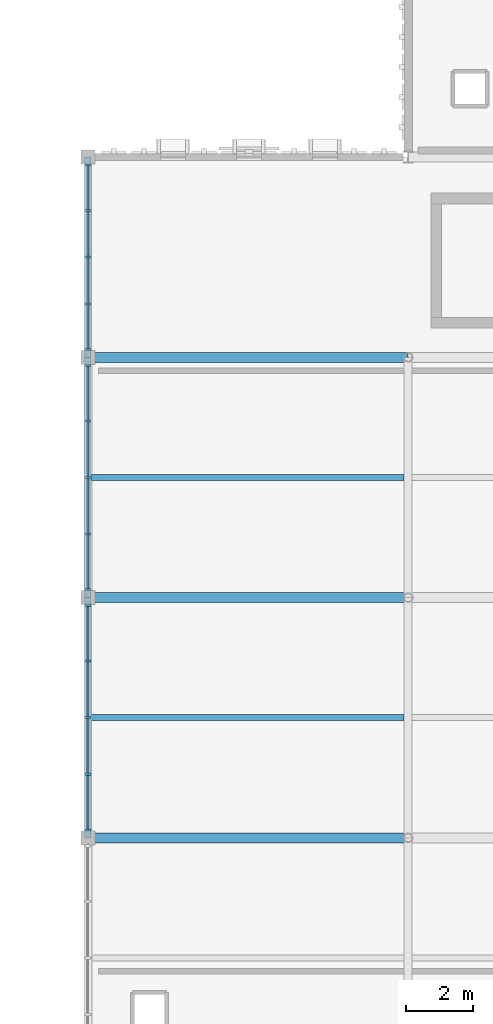
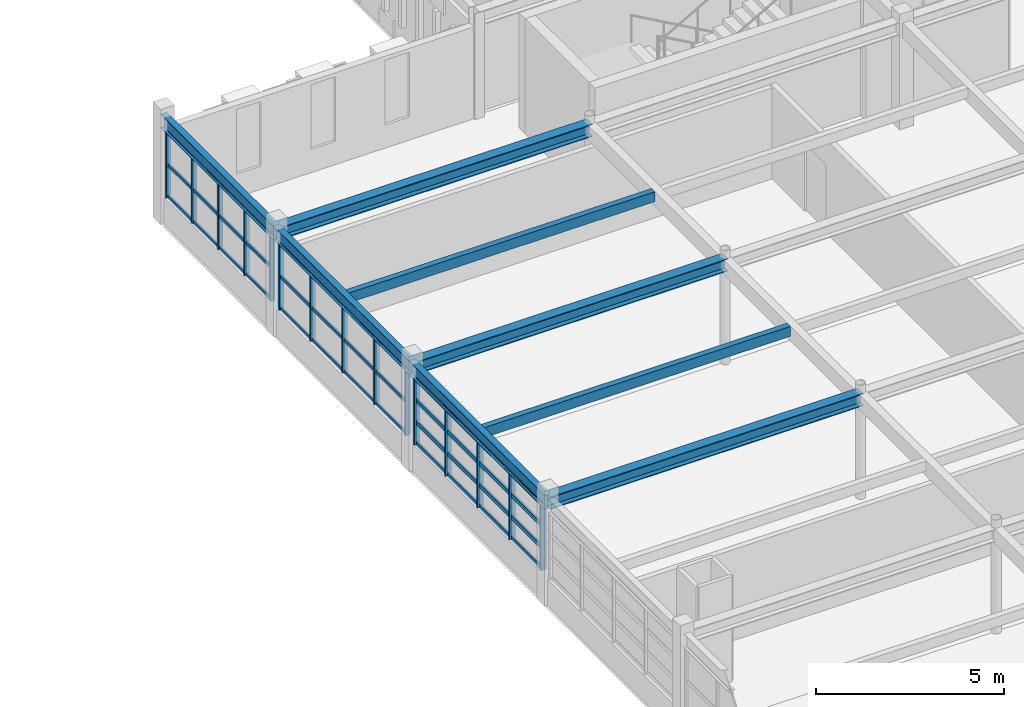
# One storey, part 11 of 46: 55 members, 8 beams, 3 elements without a shape of their own.
"""IFC4 building model written with IfcOpenShell, lengths in metres."""

from ifc_helpers import new_model, si_unit, direction, frame, origin, origin_2d, place, context, subcontext, project, spatial, rectangle, i_section, extrude, material, material_profile, profile_set, type_object, element, aggregate, save


model = new_model("IFC4")

# Units and contexts
model_context = context("Model", 3, precision=1e-05, world=origin(), true_north=direction((0.0, 1.0)))
body_context = subcontext(model_context, "Body", "Model", "MODEL_VIEW")
ifc_project = project(units=[si_unit("LENGTHUNIT", "METRE"), si_unit("AREAUNIT", "SQUARE_METRE"), si_unit("VOLUMEUNIT", "CUBIC_METRE"), si_unit("PLANEANGLEUNIT", "RADIAN"), si_unit("MASSUNIT", "GRAM", prefix="KILO")], contexts=[model_context])

# Site, building, storey
site_placement = place(None, origin())
site = spatial("IfcSite", under=ifc_project, at=site_placement, CompositionType="ELEMENT")
building_placement = place(site_placement, origin())
building = spatial("IfcBuilding", under=site, at=building_placement, Name="Nzembalo Square Collegiate School", CompositionType="ELEMENT")
storey_placement = place(building_placement, frame((0.0, 0.0, 17.340087890625)))
storey = spatial("IfcBuildingStorey", under=building, at=storey_placement, Name="L04", CompositionType="ELEMENT", Elevation=17.340087890625)

# Beams
ifc_material_1 = material(Name="Steel S355", Category="steel")
ifc_material_profile_1 = material_profile(ifc_material_1, i_section(OverallWidth=0.18994140625, OverallDepth=0.449951171875, WebThickness=0.009521484375, FlangeThickness=0.0146484375, at=origin_2d()), Name="IPE 450")
ifc_profile_set_1 = profile_set([ifc_material_profile_1], Name="Steel S355")
beam_type_1 = type_object("IfcBeamType", Name="B09", PredefinedType="BEAM", material=ifc_profile_set_1)
for number, where, z_axis, x_axis, name in (
    (1, (130.800048828125, 30.0, 3.2099609375), (0.0, 1.0, 0.0), (-1.0, 0.0, 0.0), "Beam B09 L04"),
    (2, (130.800048828125, 37.199951171875, 3.2099609375), (0.0, 1.0, 0.0), (-1.0, 0.0, 0.0), "Beam B09 L04"),
):
    element("IfcBeam", number, at=place(storey_placement, frame(where, z_axis=z_axis, x_axis=x_axis)), inside=storey, type_object=beam_type_1, Name=name, PredefinedType="BEAM", context=body_context, shape_type="SweptSolid", body=[
        extrude(i_section(OverallWidth=0.18994140625, OverallDepth=0.449951171875, WebThickness=0.009521484375, FlangeThickness=0.0146484375, at=origin_2d()), origin(), (0.0, 0.0, 1.0), 7.199951171875),
    ])
beam_placement = place(storey_placement, frame((130.800048828125, 44.39990234375, 3.2099609375), z_axis=(0.0, 1.0, 0.0), x_axis=(-1.0, 0.0, 0.0)))
element("IfcBeam", 3, at=beam_placement, inside=storey, type_object=beam_type_1, Name="Beam B09 L04", PredefinedType="BEAM", context=body_context, shape_type="SweptSolid", body=[
    extrude(i_section(OverallWidth=0.18994140625, OverallDepth=0.449951171875, WebThickness=0.009521484375, FlangeThickness=0.0146484375, at=origin_2d()), origin(), (0.0, 0.0, 1.0), 6.0),
])
ifc_material_2 = material(Name="Steel S355", Category="steel")
ifc_material_profile_2 = material_profile(ifc_material_2, i_section(OverallWidth=0.300048828125, OverallDepth=0.39990234375, WebThickness=0.013427734375, FlangeThickness=0.02392578125, at=origin_2d()), Name="HEB 400")
ifc_profile_set_2 = profile_set([ifc_material_profile_2], Name="Steel S355")
beam_type_2 = type_object("IfcBeamType", Name="B10", PredefinedType="BEAM", material=ifc_profile_set_2)
for number, where, z_axis, x_axis, name in (
    (4, (130.800048828125, 30.0, 3.23486328125), (1.0, 0.0, 0.0), (0.0, 1.0, 0.0), "Beam B10 L04"),
    (5, (130.800048828125, 37.199951171875, 3.23486328125), (1.0, 0.0, 0.0), (0.0, 1.0, 0.0), "Beam B10 L04"),
    (6, (130.800048828125, 44.39990234375, 3.23486328125), (1.0, 0.0, 0.0), (0.0, 1.0, 0.0), "Beam B10 L04"),
):
    element("IfcBeam", number, at=place(storey_placement, frame(where, z_axis=z_axis, x_axis=x_axis)), inside=storey, type_object=beam_type_2, Name=name, PredefinedType="BEAM", context=body_context, shape_type="SweptSolid", body=[
        extrude(i_section(OverallWidth=0.300048828125, OverallDepth=0.39990234375, WebThickness=0.013427734375, FlangeThickness=0.02392578125, at=origin_2d()), origin(), (0.0, 0.0, 1.0), 9.599853515625),
    ])
ifc_material_3 = material(Name="Glulam GL28h", Category="wood")
ifc_material_profile_3 = material_profile(ifc_material_3, rectangle(XDim=0.179931640625, YDim=0.320068359375, at=origin_2d()), Name="GL28h 180x320")
ifc_profile_set_3 = profile_set([ifc_material_profile_3], Name="Glulam GL28h")
beam_type_3 = type_object("IfcBeamType", Name="J02", PredefinedType="JOIST", material=ifc_profile_set_3)
for number, where, z_axis, x_axis, name in (
    (7, (130.89501953125, 33.60009765625, 3.27490234375), (1.0, 0.0, 0.0), (0.0, 1.0, 0.0), "Secondary joist J02 L04"),
    (8, (130.89501953125, 40.800048828125, 3.27490234375), (1.0, 0.0, 0.0), (0.0, 1.0, 0.0), "Secondary joist J02 L04"),
):
    element("IfcBeam", number, at=place(storey_placement, frame(where, z_axis=z_axis, x_axis=x_axis)), inside=storey, type_object=beam_type_3, Name=name, PredefinedType="JOIST", context=body_context, shape_type="SweptSolid", body=[
        extrude(rectangle(XDim=0.179931640625, YDim=0.320068359375, at=origin_2d()), origin(), (0.0, 0.0, 1.0), 9.385009765625),
    ])

# Curtain wall, members
ifc_material_4 = material(Name="Aluminium 6060-T66", Category="aluminium")
curtain_wall_type_1 = type_object("IfcCurtainWallType", Name="CW-02", PredefinedType="USERDEFINED", material=ifc_material_4)
curtain_wall_1_placement = place(storey_placement, origin())
curtain_wall_1 = element("IfcCurtainWall", 9, at=curtain_wall_1_placement, inside=storey, type_object=curtain_wall_type_1, Name="Curtain wall CW-02 cw:L04:145", ObjectType="UNITISED", PredefinedType="USERDEFINED")
ifc_material_5 = material(Name="Aluminium 6060-T66", Category="aluminium")
ifc_material_profile_4 = material_profile(ifc_material_5, rectangle(XDim=0.06005859375, YDim=0.179931640625, at=origin_2d()), Name="ALU M60x180")
ifc_profile_set_4 = profile_set([ifc_material_profile_4], Name="Aluminium 6060-T66")
member_type_1 = type_object("IfcMemberType", Name="ML01", PredefinedType="MULLION", material=ifc_profile_set_4)
member_1_placement = place(storey_placement, frame((130.800048828125, 30.241943359375, 0.849853515625), z_axis=(0.0, 0.0, 1.0), x_axis=(0.0, 1.0, 0.0)))
member_1 = element("IfcMember", 10, at=member_1_placement, type_object=member_type_1, Name="ML01 mullion 1", PredefinedType="MULLION", context=body_context, shape_type="SweptSolid", body=[
    extrude(rectangle(XDim=0.06005859375, YDim=0.179931640625, at=origin_2d()), origin(), (0.0, 0.0, 1.0), 2.129150390625),
])
member_2_placement = place(storey_placement, frame((130.800048828125, 31.906005859375, 0.849853515625), z_axis=(0.0, 0.0, 1.0), x_axis=(0.0, 1.0, 0.0)))
member_2 = element("IfcMember", 11, at=member_2_placement, type_object=member_type_1, Name="ML01 mullion 2", PredefinedType="MULLION", context=body_context, shape_type="SweptSolid", body=[
    extrude(rectangle(XDim=0.06005859375, YDim=0.179931640625, at=origin_2d()), origin(), (0.0, 0.0, 1.0), 2.129150390625),
])
member_3_placement = place(storey_placement, frame((130.800048828125, 33.60009765625, 0.849853515625), z_axis=(0.0, 0.0, 1.0), x_axis=(0.0, 1.0, 0.0)))
member_3 = element("IfcMember", 12, at=member_3_placement, type_object=member_type_1, Name="ML01 mullion 3", PredefinedType="MULLION", context=body_context, shape_type="SweptSolid", body=[
    extrude(rectangle(XDim=0.06005859375, YDim=0.179931640625, at=origin_2d()), origin(), (0.0, 0.0, 1.0), 2.129150390625),
])
member_4_placement = place(storey_placement, frame((130.800048828125, 35.2939453125, 0.849853515625), z_axis=(0.0, 0.0, 1.0), x_axis=(0.0, 1.0, 0.0)))
member_4 = element("IfcMember", 13, at=member_4_placement, type_object=member_type_1, Name="ML01 mullion 4", PredefinedType="MULLION", context=body_context, shape_type="SweptSolid", body=[
    extrude(rectangle(XDim=0.06005859375, YDim=0.179931640625, at=origin_2d()), origin(), (0.0, 0.0, 1.0), 2.129150390625),
])
member_5_placement = place(storey_placement, frame((130.800048828125, 36.9580078125, 0.849853515625), z_axis=(0.0, 0.0, 1.0), x_axis=(0.0, 1.0, 0.0)))
member_5 = element("IfcMember", 14, at=member_5_placement, type_object=member_type_1, Name="ML01 mullion 5", PredefinedType="MULLION", context=body_context, shape_type="SweptSolid", body=[
    extrude(rectangle(XDim=0.06005859375, YDim=0.179931640625, at=origin_2d()), origin(), (0.0, 0.0, 1.0), 2.129150390625),
])

ifc_material_6 = material(Name="Aluminium 6060-T66", Category="aluminium")
curtain_wall_type_2 = type_object("IfcCurtainWallType", Name="CW-03", PredefinedType="USERDEFINED", material=ifc_material_6)
curtain_wall_2_placement = place(storey_placement, origin())
curtain_wall_2 = element("IfcCurtainWall", 15, at=curtain_wall_2_placement, inside=storey, type_object=curtain_wall_type_2, Name="Curtain wall CW-03 cw:L04:146", ObjectType="UNITISED", PredefinedType="USERDEFINED")
ifc_material_7 = material(Name="Aluminium 6060-T66", Category="aluminium")
ifc_material_profile_5 = material_profile(ifc_material_7, rectangle(XDim=0.06005859375, YDim=0.14990234375, at=origin_2d()), Name="ALU M60x150")
ifc_profile_set_5 = profile_set([ifc_material_profile_5], Name="Aluminium 6060-T66")
member_type_2 = type_object("IfcMemberType", Name="ML02", PredefinedType="MULLION", material=ifc_profile_set_5)
member_6_placement = place(storey_placement, frame((130.800048828125, 37.44189453125, 0.849853515625), z_axis=(0.0, 0.0, 1.0), x_axis=(0.0, 1.0, 0.0)))
member_6 = element("IfcMember", 16, at=member_6_placement, type_object=member_type_2, Name="ML02 mullion 1", PredefinedType="MULLION", context=body_context, shape_type="SweptSolid", body=[
    extrude(rectangle(XDim=0.06005859375, YDim=0.14990234375, at=origin_2d()), origin(), (0.0, 0.0, 1.0), 2.129150390625),
])
member_7_placement = place(storey_placement, frame((130.800048828125, 39.10595703125, 0.849853515625), z_axis=(0.0, 0.0, 1.0), x_axis=(0.0, 1.0, 0.0)))
member_7 = element("IfcMember", 17, at=member_7_placement, type_object=member_type_2, Name="ML02 mullion 2", PredefinedType="MULLION", context=body_context, shape_type="SweptSolid", body=[
    extrude(rectangle(XDim=0.06005859375, YDim=0.14990234375, at=origin_2d()), origin(), (0.0, 0.0, 1.0), 2.129150390625),
])
member_8_placement = place(storey_placement, frame((130.800048828125, 40.800048828125, 0.849853515625), z_axis=(0.0, 0.0, 1.0), x_axis=(0.0, 1.0, 0.0)))
member_8 = element("IfcMember", 18, at=member_8_placement, type_object=member_type_2, Name="ML02 mullion 3", PredefinedType="MULLION", context=body_context, shape_type="SweptSolid", body=[
    extrude(rectangle(XDim=0.06005859375, YDim=0.14990234375, at=origin_2d()), origin(), (0.0, 0.0, 1.0), 2.129150390625),
])
member_9_placement = place(storey_placement, frame((130.800048828125, 42.493896484375, 0.849853515625), z_axis=(0.0, 0.0, 1.0), x_axis=(0.0, 1.0, 0.0)))
member_9 = element("IfcMember", 19, at=member_9_placement, type_object=member_type_2, Name="ML02 mullion 4", PredefinedType="MULLION", context=body_context, shape_type="SweptSolid", body=[
    extrude(rectangle(XDim=0.06005859375, YDim=0.14990234375, at=origin_2d()), origin(), (0.0, 0.0, 1.0), 2.129150390625),
])
member_10_placement = place(storey_placement, frame((130.800048828125, 44.157958984375, 0.849853515625), z_axis=(0.0, 0.0, 1.0), x_axis=(0.0, 1.0, 0.0)))
member_10 = element("IfcMember", 20, at=member_10_placement, type_object=member_type_2, Name="ML02 mullion 5", PredefinedType="MULLION", context=body_context, shape_type="SweptSolid", body=[
    extrude(rectangle(XDim=0.06005859375, YDim=0.14990234375, at=origin_2d()), origin(), (0.0, 0.0, 1.0), 2.129150390625),
])

ifc_material_8 = material(Name="Aluminium 6060-T66", Category="aluminium")
curtain_wall_type_3 = type_object("IfcCurtainWallType", Name="CW-04", PredefinedType="USERDEFINED", material=ifc_material_8)
curtain_wall_3_placement = place(storey_placement, origin())
curtain_wall_3 = element("IfcCurtainWall", 21, at=curtain_wall_3_placement, inside=storey, type_object=curtain_wall_type_3, Name="Curtain wall CW-04 cw:L04:147", ObjectType="UNITISED", PredefinedType="USERDEFINED")
member_11_placement = place(storey_placement, frame((130.800048828125, 44.64208984375, 0.849853515625), z_axis=(0.0, 0.0, 1.0), x_axis=(0.0, 1.0, 0.0)))
member_11 = element("IfcMember", 22, at=member_11_placement, type_object=member_type_2, Name="ML02 mullion 1", PredefinedType="MULLION", context=body_context, shape_type="SweptSolid", body=[
    extrude(rectangle(XDim=0.06005859375, YDim=0.14990234375, at=origin_2d()), origin(), (0.0, 0.0, 1.0), 2.129150390625),
])
member_12_placement = place(storey_placement, frame((130.800048828125, 46.006103515625, 0.849853515625), z_axis=(0.0, 0.0, 1.0), x_axis=(0.0, 1.0, 0.0)))
member_12 = element("IfcMember", 23, at=member_12_placement, type_object=member_type_2, Name="ML02 mullion 2", PredefinedType="MULLION", context=body_context, shape_type="SweptSolid", body=[
    extrude(rectangle(XDim=0.06005859375, YDim=0.14990234375, at=origin_2d()), origin(), (0.0, 0.0, 1.0), 2.129150390625),
])
member_13_placement = place(storey_placement, frame((130.800048828125, 47.39990234375, 0.849853515625), z_axis=(0.0, 0.0, 1.0), x_axis=(0.0, 1.0, 0.0)))
member_13 = element("IfcMember", 24, at=member_13_placement, type_object=member_type_2, Name="ML02 mullion 3", PredefinedType="MULLION", context=body_context, shape_type="SweptSolid", body=[
    extrude(rectangle(XDim=0.06005859375, YDim=0.14990234375, at=origin_2d()), origin(), (0.0, 0.0, 1.0), 2.129150390625),
])
member_14_placement = place(storey_placement, frame((130.800048828125, 48.7939453125, 0.849853515625), z_axis=(0.0, 0.0, 1.0), x_axis=(0.0, 1.0, 0.0)))
member_14 = element("IfcMember", 25, at=member_14_placement, type_object=member_type_2, Name="ML02 mullion 4", PredefinedType="MULLION", context=body_context, shape_type="SweptSolid", body=[
    extrude(rectangle(XDim=0.06005859375, YDim=0.14990234375, at=origin_2d()), origin(), (0.0, 0.0, 1.0), 2.129150390625),
])
member_15_placement = place(storey_placement, frame((130.800048828125, 50.157958984375, 0.849853515625), z_axis=(0.0, 0.0, 1.0), x_axis=(0.0, 1.0, 0.0)))
member_15 = element("IfcMember", 26, at=member_15_placement, type_object=member_type_2, Name="ML02 mullion 5", PredefinedType="MULLION", context=body_context, shape_type="SweptSolid", body=[
    extrude(rectangle(XDim=0.06005859375, YDim=0.14990234375, at=origin_2d()), origin(), (0.0, 0.0, 1.0), 2.129150390625),
])

# Member
ifc_material_9 = material(Name="Aluminium 6060-T66", Category="aluminium")
ifc_material_profile_6 = material_profile(ifc_material_9, rectangle(XDim=0.06005859375, YDim=0.139892578125, at=origin_2d()), Name="ALU T60x140")
ifc_profile_set_6 = profile_set([ifc_material_profile_6], Name="Aluminium 6060-T66")
member_type_3 = type_object("IfcMemberType", Name="TR01", PredefinedType="USERDEFINED", material=ifc_profile_set_6)
member_16_placement = place(storey_placement, frame((130.800048828125, 30.27197265625, 0.8798828125), z_axis=(0.0, 1.0, 0.0), x_axis=(-1.0, 0.0, 0.0)))
member_16 = element("IfcMember", 27, at=member_16_placement, type_object=member_type_3, Name="TR01 transom 1-1", ObjectType="TRANSOM", PredefinedType="USERDEFINED", context=body_context, shape_type="SweptSolid", body=[
    extrude(rectangle(XDim=0.06005859375, YDim=0.139892578125, at=origin_2d()), origin(), (0.0, 0.0, 1.0), 1.60400390625),
])

member_17_placement = place(storey_placement, frame((130.800048828125, 31.93603515625, 0.8798828125), z_axis=(0.0, 1.0, 0.0), x_axis=(-1.0, 0.0, 0.0)))
member_17 = element("IfcMember", 28, at=member_17_placement, type_object=member_type_3, Name="TR01 transom 1-2", ObjectType="TRANSOM", PredefinedType="USERDEFINED", context=body_context, shape_type="SweptSolid", body=[
    extrude(rectangle(XDim=0.06005859375, YDim=0.139892578125, at=origin_2d()), origin(), (0.0, 0.0, 1.0), 1.634033203125),
])

member_18_placement = place(storey_placement, frame((130.800048828125, 33.6298828125, 0.8798828125), z_axis=(0.0, 1.0, 0.0), x_axis=(-1.0, 0.0, 0.0)))
member_18 = element("IfcMember", 29, at=member_18_placement, type_object=member_type_3, Name="TR01 transom 1-3", ObjectType="TRANSOM", PredefinedType="USERDEFINED", context=body_context, shape_type="SweptSolid", body=[
    extrude(rectangle(XDim=0.06005859375, YDim=0.139892578125, at=origin_2d()), origin(), (0.0, 0.0, 1.0), 1.634033203125),
])

member_19_placement = place(storey_placement, frame((130.800048828125, 35.323974609375, 0.8798828125), z_axis=(0.0, 1.0, 0.0), x_axis=(-1.0, 0.0, 0.0)))
member_19 = element("IfcMember", 30, at=member_19_placement, type_object=member_type_3, Name="TR01 transom 1-4", ObjectType="TRANSOM", PredefinedType="USERDEFINED", context=body_context, shape_type="SweptSolid", body=[
    extrude(rectangle(XDim=0.06005859375, YDim=0.139892578125, at=origin_2d()), origin(), (0.0, 0.0, 1.0), 1.60400390625),
])

member_20_placement = place(storey_placement, frame((130.800048828125, 30.27197265625, 1.5595703125), z_axis=(0.0, 1.0, 0.0), x_axis=(-1.0, 0.0, 0.0)))
member_20 = element("IfcMember", 31, at=member_20_placement, type_object=member_type_3, Name="TR01 transom 2-1", ObjectType="TRANSOM", PredefinedType="USERDEFINED", context=body_context, shape_type="SweptSolid", body=[
    extrude(rectangle(XDim=0.06005859375, YDim=0.139892578125, at=origin_2d()), origin(), (0.0, 0.0, 1.0), 1.60400390625),
])

member_21_placement = place(storey_placement, frame((130.800048828125, 31.93603515625, 1.5595703125), z_axis=(0.0, 1.0, 0.0), x_axis=(-1.0, 0.0, 0.0)))
member_21 = element("IfcMember", 32, at=member_21_placement, type_object=member_type_3, Name="TR01 transom 2-2", ObjectType="TRANSOM", PredefinedType="USERDEFINED", context=body_context, shape_type="SweptSolid", body=[
    extrude(rectangle(XDim=0.06005859375, YDim=0.139892578125, at=origin_2d()), origin(), (0.0, 0.0, 1.0), 1.634033203125),
])

member_22_placement = place(storey_placement, frame((130.800048828125, 33.6298828125, 1.5595703125), z_axis=(0.0, 1.0, 0.0), x_axis=(-1.0, 0.0, 0.0)))
member_22 = element("IfcMember", 33, at=member_22_placement, type_object=member_type_3, Name="TR01 transom 2-3", ObjectType="TRANSOM", PredefinedType="USERDEFINED", context=body_context, shape_type="SweptSolid", body=[
    extrude(rectangle(XDim=0.06005859375, YDim=0.139892578125, at=origin_2d()), origin(), (0.0, 0.0, 1.0), 1.634033203125),
])

member_23_placement = place(storey_placement, frame((130.800048828125, 35.323974609375, 1.5595703125), z_axis=(0.0, 1.0, 0.0), x_axis=(-1.0, 0.0, 0.0)))
member_23 = element("IfcMember", 34, at=member_23_placement, type_object=member_type_3, Name="TR01 transom 2-4", ObjectType="TRANSOM", PredefinedType="USERDEFINED", context=body_context, shape_type="SweptSolid", body=[
    extrude(rectangle(XDim=0.06005859375, YDim=0.139892578125, at=origin_2d()), origin(), (0.0, 0.0, 1.0), 1.60400390625),
])

member_24_placement = place(storey_placement, frame((130.800048828125, 30.27197265625, 2.269287109375), z_axis=(0.0, 1.0, 0.0), x_axis=(-1.0, 0.0, 0.0)))
member_24 = element("IfcMember", 35, at=member_24_placement, type_object=member_type_3, Name="TR01 transom 3-1", ObjectType="TRANSOM", PredefinedType="USERDEFINED", context=body_context, shape_type="SweptSolid", body=[
    extrude(rectangle(XDim=0.06005859375, YDim=0.139892578125, at=origin_2d()), origin(), (0.0, 0.0, 1.0), 1.60400390625),
])

member_25_placement = place(storey_placement, frame((130.800048828125, 31.93603515625, 2.269287109375), z_axis=(0.0, 1.0, 0.0), x_axis=(-1.0, 0.0, 0.0)))
member_25 = element("IfcMember", 36, at=member_25_placement, type_object=member_type_3, Name="TR01 transom 3-2", ObjectType="TRANSOM", PredefinedType="USERDEFINED", context=body_context, shape_type="SweptSolid", body=[
    extrude(rectangle(XDim=0.06005859375, YDim=0.139892578125, at=origin_2d()), origin(), (0.0, 0.0, 1.0), 1.634033203125),
])

member_26_placement = place(storey_placement, frame((130.800048828125, 33.6298828125, 2.269287109375), z_axis=(0.0, 1.0, 0.0), x_axis=(-1.0, 0.0, 0.0)))
member_26 = element("IfcMember", 37, at=member_26_placement, type_object=member_type_3, Name="TR01 transom 3-3", ObjectType="TRANSOM", PredefinedType="USERDEFINED", context=body_context, shape_type="SweptSolid", body=[
    extrude(rectangle(XDim=0.06005859375, YDim=0.139892578125, at=origin_2d()), origin(), (0.0, 0.0, 1.0), 1.634033203125),
])

member_27_placement = place(storey_placement, frame((130.800048828125, 35.323974609375, 2.269287109375), z_axis=(0.0, 1.0, 0.0), x_axis=(-1.0, 0.0, 0.0)))
member_27 = element("IfcMember", 38, at=member_27_placement, type_object=member_type_3, Name="TR01 transom 3-4", ObjectType="TRANSOM", PredefinedType="USERDEFINED", context=body_context, shape_type="SweptSolid", body=[
    extrude(rectangle(XDim=0.06005859375, YDim=0.139892578125, at=origin_2d()), origin(), (0.0, 0.0, 1.0), 1.60400390625),
])

member_28_placement = place(storey_placement, frame((130.800048828125, 30.27197265625, 2.948974609375), z_axis=(0.0, 1.0, 0.0), x_axis=(-1.0, 0.0, 0.0)))
member_28 = element("IfcMember", 39, at=member_28_placement, type_object=member_type_3, Name="TR01 transom 4-1", ObjectType="TRANSOM", PredefinedType="USERDEFINED", context=body_context, shape_type="SweptSolid", body=[
    extrude(rectangle(XDim=0.06005859375, YDim=0.139892578125, at=origin_2d()), origin(), (0.0, 0.0, 1.0), 1.60400390625),
])

member_29_placement = place(storey_placement, frame((130.800048828125, 31.93603515625, 2.948974609375), z_axis=(0.0, 1.0, 0.0), x_axis=(-1.0, 0.0, 0.0)))
member_29 = element("IfcMember", 40, at=member_29_placement, type_object=member_type_3, Name="TR01 transom 4-2", ObjectType="TRANSOM", PredefinedType="USERDEFINED", context=body_context, shape_type="SweptSolid", body=[
    extrude(rectangle(XDim=0.06005859375, YDim=0.139892578125, at=origin_2d()), origin(), (0.0, 0.0, 1.0), 1.634033203125),
])

member_30_placement = place(storey_placement, frame((130.800048828125, 33.6298828125, 2.948974609375), z_axis=(0.0, 1.0, 0.0), x_axis=(-1.0, 0.0, 0.0)))
member_30 = element("IfcMember", 41, at=member_30_placement, type_object=member_type_3, Name="TR01 transom 4-3", ObjectType="TRANSOM", PredefinedType="USERDEFINED", context=body_context, shape_type="SweptSolid", body=[
    extrude(rectangle(XDim=0.06005859375, YDim=0.139892578125, at=origin_2d()), origin(), (0.0, 0.0, 1.0), 1.634033203125),
])

member_31_placement = place(storey_placement, frame((130.800048828125, 35.323974609375, 2.948974609375), z_axis=(0.0, 1.0, 0.0), x_axis=(-1.0, 0.0, 0.0)))
member_31 = element("IfcMember", 42, at=member_31_placement, type_object=member_type_3, Name="TR01 transom 4-4", ObjectType="TRANSOM", PredefinedType="USERDEFINED", context=body_context, shape_type="SweptSolid", body=[
    extrude(rectangle(XDim=0.06005859375, YDim=0.139892578125, at=origin_2d()), origin(), (0.0, 0.0, 1.0), 1.60400390625),
])

aggregate(curtain_wall_1, [member_1, member_2, member_3, member_4, member_5, member_16, member_17, member_18, member_19, member_20, member_21, member_22, member_23, member_24, member_25, member_26, member_27, member_28, member_29, member_30, member_31])

ifc_material_10 = material(Name="Aluminium 6060-T66", Category="aluminium")
ifc_material_profile_7 = material_profile(ifc_material_10, rectangle(XDim=0.06005859375, YDim=0.110107421875, at=origin_2d()), Name="ALU T60x110")
ifc_profile_set_7 = profile_set([ifc_material_profile_7], Name="Aluminium 6060-T66")
member_type_4 = type_object("IfcMemberType", Name="TR02", PredefinedType="USERDEFINED", material=ifc_profile_set_7)
member_32_placement = place(storey_placement, frame((130.800048828125, 37.471923828125, 0.8798828125), z_axis=(0.0, 1.0, 0.0), x_axis=(-1.0, 0.0, 0.0)))
member_32 = element("IfcMember", 43, at=member_32_placement, type_object=member_type_4, Name="TR02 transom 1-1", ObjectType="TRANSOM", PredefinedType="USERDEFINED", context=body_context, shape_type="SweptSolid", body=[
    extrude(rectangle(XDim=0.06005859375, YDim=0.110107421875, at=origin_2d()), origin(), (0.0, 0.0, 1.0), 1.60400390625),
])

member_33_placement = place(storey_placement, frame((130.800048828125, 39.135986328125, 0.8798828125), z_axis=(0.0, 1.0, 0.0), x_axis=(-1.0, 0.0, 0.0)))
member_33 = element("IfcMember", 44, at=member_33_placement, type_object=member_type_4, Name="TR02 transom 1-2", ObjectType="TRANSOM", PredefinedType="USERDEFINED", context=body_context, shape_type="SweptSolid", body=[
    extrude(rectangle(XDim=0.06005859375, YDim=0.110107421875, at=origin_2d()), origin(), (0.0, 0.0, 1.0), 1.634033203125),
])

member_34_placement = place(storey_placement, frame((130.800048828125, 40.830078125, 0.8798828125), z_axis=(0.0, 1.0, 0.0), x_axis=(-1.0, 0.0, 0.0)))
member_34 = element("IfcMember", 45, at=member_34_placement, type_object=member_type_4, Name="TR02 transom 1-3", ObjectType="TRANSOM", PredefinedType="USERDEFINED", context=body_context, shape_type="SweptSolid", body=[
    extrude(rectangle(XDim=0.06005859375, YDim=0.110107421875, at=origin_2d()), origin(), (0.0, 0.0, 1.0), 1.634033203125),
])

member_35_placement = place(storey_placement, frame((130.800048828125, 42.52392578125, 0.8798828125), z_axis=(0.0, 1.0, 0.0), x_axis=(-1.0, 0.0, 0.0)))
member_35 = element("IfcMember", 46, at=member_35_placement, type_object=member_type_4, Name="TR02 transom 1-4", ObjectType="TRANSOM", PredefinedType="USERDEFINED", context=body_context, shape_type="SweptSolid", body=[
    extrude(rectangle(XDim=0.06005859375, YDim=0.110107421875, at=origin_2d()), origin(), (0.0, 0.0, 1.0), 1.60400390625),
])

member_36_placement = place(storey_placement, frame((130.800048828125, 37.471923828125, 1.914306640625), z_axis=(0.0, 1.0, 0.0), x_axis=(-1.0, 0.0, 0.0)))
member_36 = element("IfcMember", 47, at=member_36_placement, type_object=member_type_4, Name="TR02 transom 2-1", ObjectType="TRANSOM", PredefinedType="USERDEFINED", context=body_context, shape_type="SweptSolid", body=[
    extrude(rectangle(XDim=0.06005859375, YDim=0.110107421875, at=origin_2d()), origin(), (0.0, 0.0, 1.0), 1.60400390625),
])

member_37_placement = place(storey_placement, frame((130.800048828125, 39.135986328125, 1.914306640625), z_axis=(0.0, 1.0, 0.0), x_axis=(-1.0, 0.0, 0.0)))
member_37 = element("IfcMember", 48, at=member_37_placement, type_object=member_type_4, Name="TR02 transom 2-2", ObjectType="TRANSOM", PredefinedType="USERDEFINED", context=body_context, shape_type="SweptSolid", body=[
    extrude(rectangle(XDim=0.06005859375, YDim=0.110107421875, at=origin_2d()), origin(), (0.0, 0.0, 1.0), 1.634033203125),
])

member_38_placement = place(storey_placement, frame((130.800048828125, 40.830078125, 1.914306640625), z_axis=(0.0, 1.0, 0.0), x_axis=(-1.0, 0.0, 0.0)))
member_38 = element("IfcMember", 49, at=member_38_placement, type_object=member_type_4, Name="TR02 transom 2-3", ObjectType="TRANSOM", PredefinedType="USERDEFINED", context=body_context, shape_type="SweptSolid", body=[
    extrude(rectangle(XDim=0.06005859375, YDim=0.110107421875, at=origin_2d()), origin(), (0.0, 0.0, 1.0), 1.634033203125),
])

member_39_placement = place(storey_placement, frame((130.800048828125, 42.52392578125, 1.914306640625), z_axis=(0.0, 1.0, 0.0), x_axis=(-1.0, 0.0, 0.0)))
member_39 = element("IfcMember", 50, at=member_39_placement, type_object=member_type_4, Name="TR02 transom 2-4", ObjectType="TRANSOM", PredefinedType="USERDEFINED", context=body_context, shape_type="SweptSolid", body=[
    extrude(rectangle(XDim=0.06005859375, YDim=0.110107421875, at=origin_2d()), origin(), (0.0, 0.0, 1.0), 1.60400390625),
])

member_40_placement = place(storey_placement, frame((130.800048828125, 37.471923828125, 2.948974609375), z_axis=(0.0, 1.0, 0.0), x_axis=(-1.0, 0.0, 0.0)))
member_40 = element("IfcMember", 51, at=member_40_placement, type_object=member_type_4, Name="TR02 transom 3-1", ObjectType="TRANSOM", PredefinedType="USERDEFINED", context=body_context, shape_type="SweptSolid", body=[
    extrude(rectangle(XDim=0.06005859375, YDim=0.110107421875, at=origin_2d()), origin(), (0.0, 0.0, 1.0), 1.60400390625),
])

member_41_placement = place(storey_placement, frame((130.800048828125, 39.135986328125, 2.948974609375), z_axis=(0.0, 1.0, 0.0), x_axis=(-1.0, 0.0, 0.0)))
member_41 = element("IfcMember", 52, at=member_41_placement, type_object=member_type_4, Name="TR02 transom 3-2", ObjectType="TRANSOM", PredefinedType="USERDEFINED", context=body_context, shape_type="SweptSolid", body=[
    extrude(rectangle(XDim=0.06005859375, YDim=0.110107421875, at=origin_2d()), origin(), (0.0, 0.0, 1.0), 1.634033203125),
])

member_42_placement = place(storey_placement, frame((130.800048828125, 40.830078125, 2.948974609375), z_axis=(0.0, 1.0, 0.0), x_axis=(-1.0, 0.0, 0.0)))
member_42 = element("IfcMember", 53, at=member_42_placement, type_object=member_type_4, Name="TR02 transom 3-3", ObjectType="TRANSOM", PredefinedType="USERDEFINED", context=body_context, shape_type="SweptSolid", body=[
    extrude(rectangle(XDim=0.06005859375, YDim=0.110107421875, at=origin_2d()), origin(), (0.0, 0.0, 1.0), 1.634033203125),
])

member_43_placement = place(storey_placement, frame((130.800048828125, 42.52392578125, 2.948974609375), z_axis=(0.0, 1.0, 0.0), x_axis=(-1.0, 0.0, 0.0)))
member_43 = element("IfcMember", 54, at=member_43_placement, type_object=member_type_4, Name="TR02 transom 3-4", ObjectType="TRANSOM", PredefinedType="USERDEFINED", context=body_context, shape_type="SweptSolid", body=[
    extrude(rectangle(XDim=0.06005859375, YDim=0.110107421875, at=origin_2d()), origin(), (0.0, 0.0, 1.0), 1.60400390625),
])

aggregate(curtain_wall_2, [member_6, member_7, member_8, member_9, member_10, member_32, member_33, member_34, member_35, member_36, member_37, member_38, member_39, member_40, member_41, member_42, member_43])

member_44_placement = place(storey_placement, frame((130.800048828125, 44.672119140625, 0.8798828125), z_axis=(0.0, 1.0, 0.0), x_axis=(-1.0, 0.0, 0.0)))
member_44 = element("IfcMember", 55, at=member_44_placement, type_object=member_type_4, Name="TR02 transom 1-1", ObjectType="TRANSOM", PredefinedType="USERDEFINED", context=body_context, shape_type="SweptSolid", body=[
    extrude(rectangle(XDim=0.06005859375, YDim=0.110107421875, at=origin_2d()), origin(), (0.0, 0.0, 1.0), 1.303955078125),
])

member_45_placement = place(storey_placement, frame((130.800048828125, 46.035888671875, 0.8798828125), z_axis=(0.0, 1.0, 0.0), x_axis=(-1.0, 0.0, 0.0)))
member_45 = element("IfcMember", 56, at=member_45_placement, type_object=member_type_4, Name="TR02 transom 1-2", ObjectType="TRANSOM", PredefinedType="USERDEFINED", context=body_context, shape_type="SweptSolid", body=[
    extrude(rectangle(XDim=0.06005859375, YDim=0.110107421875, at=origin_2d()), origin(), (0.0, 0.0, 1.0), 1.334228515625),
])

member_46_placement = place(storey_placement, frame((130.800048828125, 47.429931640625, 0.8798828125), z_axis=(0.0, 1.0, 0.0), x_axis=(-1.0, 0.0, 0.0)))
member_46 = element("IfcMember", 57, at=member_46_placement, type_object=member_type_4, Name="TR02 transom 1-3", ObjectType="TRANSOM", PredefinedType="USERDEFINED", context=body_context, shape_type="SweptSolid", body=[
    extrude(rectangle(XDim=0.06005859375, YDim=0.110107421875, at=origin_2d()), origin(), (0.0, 0.0, 1.0), 1.333984375),
])

member_47_placement = place(storey_placement, frame((130.800048828125, 48.823974609375, 0.8798828125), z_axis=(0.0, 1.0, 0.0), x_axis=(-1.0, 0.0, 0.0)))
member_47 = element("IfcMember", 58, at=member_47_placement, type_object=member_type_4, Name="TR02 transom 1-4", ObjectType="TRANSOM", PredefinedType="USERDEFINED", context=body_context, shape_type="SweptSolid", body=[
    extrude(rectangle(XDim=0.06005859375, YDim=0.110107421875, at=origin_2d()), origin(), (0.0, 0.0, 1.0), 1.303955078125),
])

member_48_placement = place(storey_placement, frame((130.800048828125, 44.672119140625, 1.914306640625), z_axis=(0.0, 1.0, 0.0), x_axis=(-1.0, 0.0, 0.0)))
member_48 = element("IfcMember", 59, at=member_48_placement, type_object=member_type_4, Name="TR02 transom 2-1", ObjectType="TRANSOM", PredefinedType="USERDEFINED", context=body_context, shape_type="SweptSolid", body=[
    extrude(rectangle(XDim=0.06005859375, YDim=0.110107421875, at=origin_2d()), origin(), (0.0, 0.0, 1.0), 1.303955078125),
])

member_49_placement = place(storey_placement, frame((130.800048828125, 46.035888671875, 1.914306640625), z_axis=(0.0, 1.0, 0.0), x_axis=(-1.0, 0.0, 0.0)))
member_49 = element("IfcMember", 60, at=member_49_placement, type_object=member_type_4, Name="TR02 transom 2-2", ObjectType="TRANSOM", PredefinedType="USERDEFINED", context=body_context, shape_type="SweptSolid", body=[
    extrude(rectangle(XDim=0.06005859375, YDim=0.110107421875, at=origin_2d()), origin(), (0.0, 0.0, 1.0), 1.334228515625),
])

member_50_placement = place(storey_placement, frame((130.800048828125, 47.429931640625, 1.914306640625), z_axis=(0.0, 1.0, 0.0), x_axis=(-1.0, 0.0, 0.0)))
member_50 = element("IfcMember", 61, at=member_50_placement, type_object=member_type_4, Name="TR02 transom 2-3", ObjectType="TRANSOM", PredefinedType="USERDEFINED", context=body_context, shape_type="SweptSolid", body=[
    extrude(rectangle(XDim=0.06005859375, YDim=0.110107421875, at=origin_2d()), origin(), (0.0, 0.0, 1.0), 1.333984375),
])

member_51_placement = place(storey_placement, frame((130.800048828125, 48.823974609375, 1.914306640625), z_axis=(0.0, 1.0, 0.0), x_axis=(-1.0, 0.0, 0.0)))
member_51 = element("IfcMember", 62, at=member_51_placement, type_object=member_type_4, Name="TR02 transom 2-4", ObjectType="TRANSOM", PredefinedType="USERDEFINED", context=body_context, shape_type="SweptSolid", body=[
    extrude(rectangle(XDim=0.06005859375, YDim=0.110107421875, at=origin_2d()), origin(), (0.0, 0.0, 1.0), 1.303955078125),
])

member_52_placement = place(storey_placement, frame((130.800048828125, 44.672119140625, 2.948974609375), z_axis=(0.0, 1.0, 0.0), x_axis=(-1.0, 0.0, 0.0)))
member_52 = element("IfcMember", 63, at=member_52_placement, type_object=member_type_4, Name="TR02 transom 3-1", ObjectType="TRANSOM", PredefinedType="USERDEFINED", context=body_context, shape_type="SweptSolid", body=[
    extrude(rectangle(XDim=0.06005859375, YDim=0.110107421875, at=origin_2d()), origin(), (0.0, 0.0, 1.0), 1.303955078125),
])

member_53_placement = place(storey_placement, frame((130.800048828125, 46.035888671875, 2.948974609375), z_axis=(0.0, 1.0, 0.0), x_axis=(-1.0, 0.0, 0.0)))
member_53 = element("IfcMember", 64, at=member_53_placement, type_object=member_type_4, Name="TR02 transom 3-2", ObjectType="TRANSOM", PredefinedType="USERDEFINED", context=body_context, shape_type="SweptSolid", body=[
    extrude(rectangle(XDim=0.06005859375, YDim=0.110107421875, at=origin_2d()), origin(), (0.0, 0.0, 1.0), 1.334228515625),
])

member_54_placement = place(storey_placement, frame((130.800048828125, 47.429931640625, 2.948974609375), z_axis=(0.0, 1.0, 0.0), x_axis=(-1.0, 0.0, 0.0)))
member_54 = element("IfcMember", 65, at=member_54_placement, type_object=member_type_4, Name="TR02 transom 3-3", ObjectType="TRANSOM", PredefinedType="USERDEFINED", context=body_context, shape_type="SweptSolid", body=[
    extrude(rectangle(XDim=0.06005859375, YDim=0.110107421875, at=origin_2d()), origin(), (0.0, 0.0, 1.0), 1.333984375),
])

member_55_placement = place(storey_placement, frame((130.800048828125, 48.823974609375, 2.948974609375), z_axis=(0.0, 1.0, 0.0), x_axis=(-1.0, 0.0, 0.0)))
member_55 = element("IfcMember", 66, at=member_55_placement, type_object=member_type_4, Name="TR02 transom 3-4", ObjectType="TRANSOM", PredefinedType="USERDEFINED", context=body_context, shape_type="SweptSolid", body=[
    extrude(rectangle(XDim=0.06005859375, YDim=0.110107421875, at=origin_2d()), origin(), (0.0, 0.0, 1.0), 1.303955078125),
])

aggregate(curtain_wall_3, [member_11, member_12, member_13, member_14, member_15, member_44, member_45, member_46, member_47, member_48, member_49, member_50, member_51, member_52, member_53, member_54, member_55])

save(model, "model.ifc")
